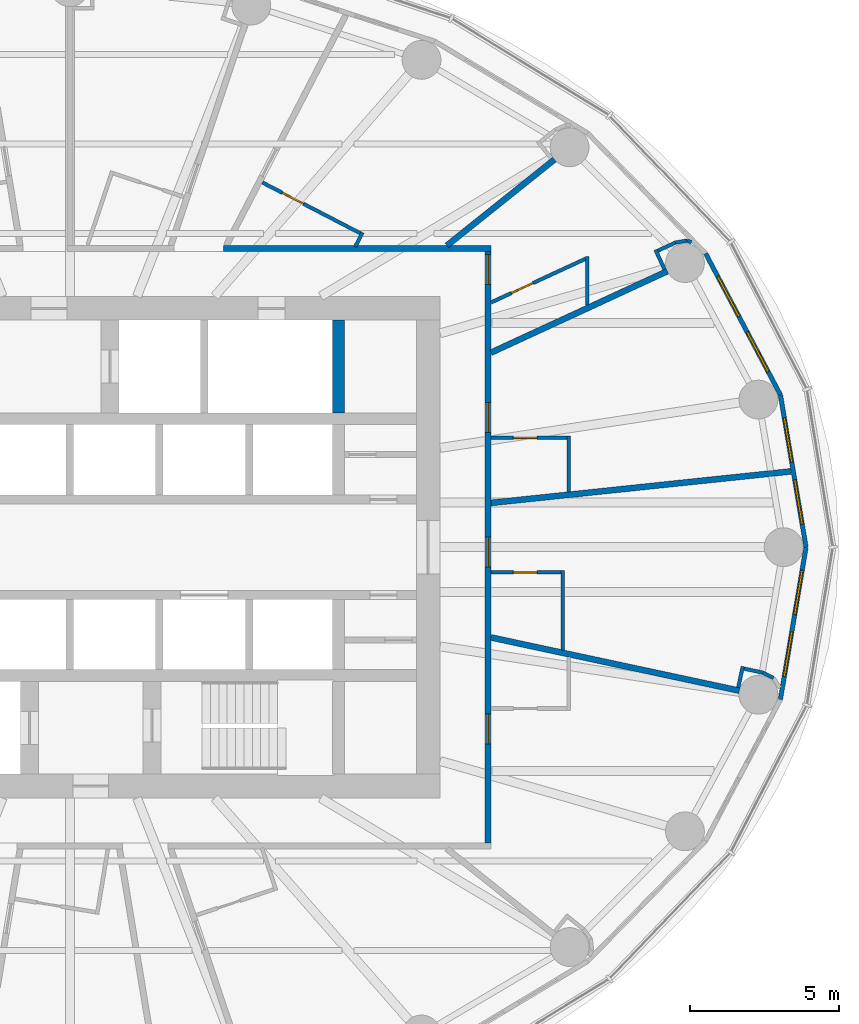
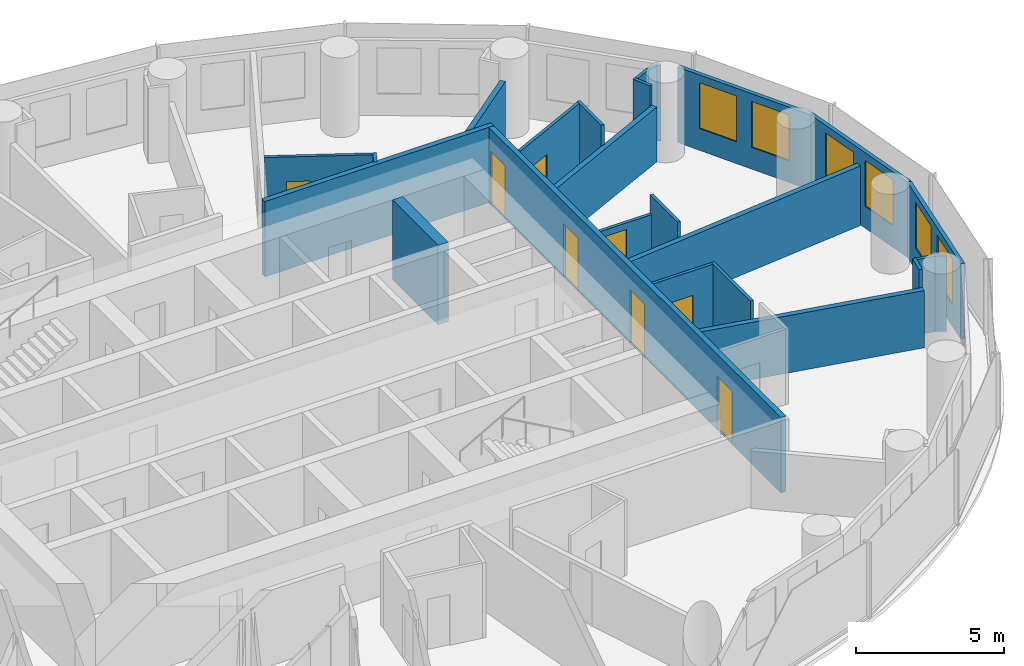
# One storey, part 10 of 14: 25 walls, 8 doors, 6 windows, 14 openings.
"""IFC4 building model written with IfcOpenShell, lengths in metres."""

from ifc_helpers import new_model, si_unit, direction, frame, frame_2d, origin, place, context, subcontext, project, spatial, rectangle, extrude, material, layer, layer_set, type_object, element, fill, save


model = new_model("IFC4")

# Units and contexts
model_context = context("Model", 3, precision=1e-05, world=origin(), true_north=direction((0.0, 1.0)))
body_context = subcontext(model_context, "Body", "Model", "MODEL_VIEW")
ifc_project = project(units=[si_unit("LENGTHUNIT", "METRE"), si_unit("AREAUNIT", "SQUARE_METRE"), si_unit("VOLUMEUNIT", "CUBIC_METRE"), si_unit("PLANEANGLEUNIT", "RADIAN"), si_unit("MASSUNIT", "GRAM", prefix="KILO")], contexts=[model_context])

# Site, building, storey
site_placement = place(None, origin())
site = spatial("IfcSite", under=ifc_project, at=site_placement, CompositionType="ELEMENT")
building_placement = place(site_placement, origin())
building = spatial("IfcBuilding", under=site, at=building_placement, Name="Hankou Lantern Tower", CompositionType="ELEMENT")
storey_placement = place(building_placement, frame((0.0, 0.0, 112.199951171875)))
storey = spatial("IfcBuildingStorey", under=building, at=storey_placement, Name="L28", CompositionType="ELEMENT", Elevation=112.199951171875)

# Wall
ifc_material_1 = material(Name="Concrete C60", Category="concrete")
ifc_layer_1 = layer(ifc_material_1, 0.39990234375)
ifc_layer_set_1 = layer_set([ifc_layer_1], Name="Concrete C60")
wall_type_1 = type_object("IfcWallType", Name="CW4 CORE CROSS WALL 400", PredefinedType="SHEAR", material=ifc_layer_set_1)
wall_1_placement = place(storey_placement, frame((9.0, 4.5, 0.0), z_axis=(0.0, 0.0, 1.0), x_axis=(0.0, 1.0, 0.0)))
element("IfcWall", 1, at=wall_1_placement, inside=storey, type_object=wall_type_1, Name="Core strip wall L28", PredefinedType="SHEAR", context=body_context, shape_type="SweptSolid", body=[
    extrude(rectangle(XDim=3.10009765625, YDim=0.39990234375, at=frame_2d((1.550048828125, 0.0))), origin(), (0.0, 0.0, 1.0), 3.300048828125),
])

# Wall, openings, windows
ifc_material_2 = material(Name="Aluminium spandrel panel on steel studs", Category="steel")
ifc_layer_2 = layer(ifc_material_2, 0.14990234375)
ifc_layer_set_2 = layer_set([ifc_layer_2], Name="Aluminium spandrel panel on steel studs")
wall_type_2 = type_object("IfcWallType", Name="EW1 INNER SKIN WALL 150", PredefinedType="ELEMENTEDWALL", material=ifc_layer_set_2)
wall_2_placement = place(storey_placement, frame((24.64990234375, 0.0, 0.0), z_axis=(0.0, 0.0, 1.0), x_axis=(-0.165883894218, 0.986145290329, 0.0)))
wall_2 = element("IfcWall", 2, at=wall_2_placement, inside=storey, type_object=wall_type_2, Name="Inner skin R01-R02 L28", PredefinedType="ELEMENTEDWALL", context=body_context, shape_type="SweptSolid", body=[
    extrude(rectangle(XDim=5.171630859375, YDim=0.14990234375, at=frame_2d((2.5859375, 0.0))), origin(), (0.0, 0.0, 1.0), 3.1201171875),
])
opening_1_placement = place(wall_2_placement, frame((0.785888671875, 0.0, 0.89990234375)))
opening_1 = element("IfcOpeningElement", 3, at=opening_1_placement, cuts=wall_2, Name="Opening W2", PredefinedType="OPENING", context=body_context, shape_type="SweptSolid", body=[
    extrude(rectangle(XDim=1.5, YDim=1.89990234375, at=frame_2d((0.75, 0.949951171875))), frame((0.0, 0.0849609375, 0.0), z_axis=(0.0, -1.0, 0.0), x_axis=(1.0, 0.0, 0.0)), (0.0, 0.0, 1.0), 0.169921875),
])
opening_2_placement = place(wall_2_placement, frame((2.8857421875, 0.0, 0.89990234375)))
opening_2 = element("IfcOpeningElement", 4, at=opening_2_placement, cuts=wall_2, Name="Opening W2", PredefinedType="OPENING", context=body_context, shape_type="SweptSolid", body=[
    extrude(rectangle(XDim=1.5, YDim=1.89990234375, at=frame_2d((0.75, 0.949951171875))), frame((0.0, 0.0849609375, 0.0), z_axis=(0.0, -1.0, 0.0), x_axis=(1.0, 0.0, 0.0)), (0.0, 0.0, 1.0), 0.169921875),
])
ifc_material_3 = material(Name="Aluminium framed double glazed window", Category="aluminium")
window_type = type_object("IfcWindowType", Name="W2 GUEST ROOM WINDOW 1500X1900", PartitioningType="DOUBLE_PANEL_VERTICAL", PredefinedType="WINDOW", material=ifc_material_3)
window_1_placement = place(opening_1_placement, origin())
window_1 = element("IfcWindow", 5, at=window_1_placement, inside=storey, type_object=window_type, Name="Window R01.1 L28", OverallHeight=1.89990234375, OverallWidth=1.5, PartitioningType="SINGLE_PANEL", PredefinedType="WINDOW", context=body_context, shape_type="SweptSolid", body=[
    extrude(rectangle(XDim=1.5, YDim=1.89990234375, at=frame_2d((0.75, 0.949951171875))), frame((0.0, 0.030029296875, 0.0), z_axis=(0.0, -1.0, 0.0), x_axis=(1.0, 0.0, 0.0)), (0.0, 0.0, 1.0), 0.06005859375),
])
fill(opening_1, window_1)
window_2_placement = place(opening_2_placement, origin())
window_2 = element("IfcWindow", 6, at=window_2_placement, inside=storey, type_object=window_type, Name="Window R01.2 L28", OverallHeight=1.89990234375, OverallWidth=1.5, PartitioningType="SINGLE_PANEL", PredefinedType="WINDOW", context=body_context, shape_type="SweptSolid", body=[
    extrude(rectangle(XDim=1.5, YDim=1.89990234375, at=frame_2d((0.75, 0.949951171875))), frame((0.0, 0.030029296875, 0.0), z_axis=(0.0, -1.0, 0.0), x_axis=(1.0, 0.0, 0.0)), (0.0, 0.0, 1.0), 0.06005859375),
])
fill(opening_2, window_2)

wall_3_placement = place(storey_placement, frame((23.7919921875, 5.10009765625, 0.0), z_axis=(0.0, 0.0, 1.0), x_axis=(-0.467814388454, 0.883826735257, 0.0)))
wall_3 = element("IfcWall", 7, at=wall_3_placement, inside=storey, type_object=wall_type_2, Name="Inner skin R02-R03 L28", PredefinedType="ELEMENTEDWALL", context=body_context, shape_type="SweptSolid", body=[
    extrude(rectangle(XDim=5.35400390625, YDim=0.14990234375, at=frame_2d((2.677001953125, 0.0))), origin(), (0.0, 0.0, 1.0), 3.1201171875),
])
opening_3_placement = place(wall_3_placement, frame((0.876953125, 0.0, 0.89990234375)))
opening_3 = element("IfcOpeningElement", 8, at=opening_3_placement, cuts=wall_3, Name="Opening W2", PredefinedType="OPENING", context=body_context, shape_type="SweptSolid", body=[
    extrude(rectangle(XDim=1.5, YDim=1.89990234375, at=frame_2d((0.75, 0.949951171875))), frame((0.0, 0.0849609375, 0.0), z_axis=(0.0, -1.0, 0.0), x_axis=(1.0, 0.0, 0.0)), (0.0, 0.0, 1.0), 0.169921875),
])
opening_4_placement = place(wall_3_placement, frame((2.97705078125, 0.0, 0.89990234375)))
opening_4 = element("IfcOpeningElement", 9, at=opening_4_placement, cuts=wall_3, Name="Opening W2", PredefinedType="OPENING", context=body_context, shape_type="SweptSolid", body=[
    extrude(rectangle(XDim=1.5, YDim=1.89990234375, at=frame_2d((0.75, 0.949951171875))), frame((0.0, 0.0849609375, 0.0), z_axis=(0.0, -1.0, 0.0), x_axis=(1.0, 0.0, 0.0)), (0.0, 0.0, 1.0), 0.169921875),
])
window_3_placement = place(opening_3_placement, origin())
window_3 = element("IfcWindow", 10, at=window_3_placement, inside=storey, type_object=window_type, Name="Window R02.1 L28", OverallHeight=1.89990234375, OverallWidth=1.5, PartitioningType="SINGLE_PANEL", PredefinedType="WINDOW", context=body_context, shape_type="SweptSolid", body=[
    extrude(rectangle(XDim=1.5, YDim=1.89990234375, at=frame_2d((0.75, 0.949951171875))), frame((0.0, 0.030029296875, 0.0), z_axis=(0.0, -1.0, 0.0), x_axis=(1.0, 0.0, 0.0)), (0.0, 0.0, 1.0), 0.06005859375),
])
fill(opening_3, window_3)
window_4_placement = place(opening_4_placement, origin())
window_4 = element("IfcWindow", 11, at=window_4_placement, inside=storey, type_object=window_type, Name="Window R02.2 L28", OverallHeight=1.89990234375, OverallWidth=1.5, PartitioningType="SINGLE_PANEL", PredefinedType="WINDOW", context=body_context, shape_type="SweptSolid", body=[
    extrude(rectangle(XDim=1.5, YDim=1.89990234375, at=frame_2d((0.75, 0.949951171875))), frame((0.0, 0.030029296875, 0.0), z_axis=(0.0, -1.0, 0.0), x_axis=(1.0, 0.0, 0.0)), (0.0, 0.0, 1.0), 0.06005859375),
])
fill(opening_4, window_4)

wall_4_placement = place(storey_placement, frame((23.7919921875, -5.10009765625, 0.0), z_axis=(0.0, 0.0, 1.0), x_axis=(0.165883894218, 0.986145290329, 0.0)))
wall_4 = element("IfcWall", 12, at=wall_4_placement, inside=storey, type_object=wall_type_2, Name="Inner skin R24-R01 L28", PredefinedType="ELEMENTEDWALL", context=body_context, shape_type="SweptSolid", body=[
    extrude(rectangle(XDim=5.171630859375, YDim=0.14990234375, at=frame_2d((2.5859375, 0.0))), origin(), (0.0, 0.0, 1.0), 3.1201171875),
])
opening_5_placement = place(wall_4_placement, frame((0.785888671875, 0.0, 0.89990234375)))
opening_5 = element("IfcOpeningElement", 13, at=opening_5_placement, cuts=wall_4, Name="Opening W2", PredefinedType="OPENING", context=body_context, shape_type="SweptSolid", body=[
    extrude(rectangle(XDim=1.5, YDim=1.89990234375, at=frame_2d((0.75, 0.949951171875))), frame((0.0, 0.0849609375, 0.0), z_axis=(0.0, -1.0, 0.0), x_axis=(1.0, 0.0, 0.0)), (0.0, 0.0, 1.0), 0.169921875),
])
opening_6_placement = place(wall_4_placement, frame((2.8857421875, 0.0, 0.89990234375)))
opening_6 = element("IfcOpeningElement", 14, at=opening_6_placement, cuts=wall_4, Name="Opening W2", PredefinedType="OPENING", context=body_context, shape_type="SweptSolid", body=[
    extrude(rectangle(XDim=1.5, YDim=1.89990234375, at=frame_2d((0.75, 0.949951171875))), frame((0.0, 0.0849609375, 0.0), z_axis=(0.0, -1.0, 0.0), x_axis=(1.0, 0.0, 0.0)), (0.0, 0.0, 1.0), 0.169921875),
])
window_5_placement = place(opening_5_placement, origin())
window_5 = element("IfcWindow", 15, at=window_5_placement, inside=storey, type_object=window_type, Name="Window R24.1 L28", OverallHeight=1.89990234375, OverallWidth=1.5, PartitioningType="SINGLE_PANEL", PredefinedType="WINDOW", context=body_context, shape_type="SweptSolid", body=[
    extrude(rectangle(XDim=1.5, YDim=1.89990234375, at=frame_2d((0.75, 0.949951171875))), frame((0.0, 0.030029296875, 0.0), z_axis=(0.0, -1.0, 0.0), x_axis=(1.0, 0.0, 0.0)), (0.0, 0.0, 1.0), 0.06005859375),
])
fill(opening_5, window_5)
window_6_placement = place(opening_6_placement, origin())
window_6 = element("IfcWindow", 16, at=window_6_placement, inside=storey, type_object=window_type, Name="Window R24.2 L28", OverallHeight=1.89990234375, OverallWidth=1.5, PartitioningType="SINGLE_PANEL", PredefinedType="WINDOW", context=body_context, shape_type="SweptSolid", body=[
    extrude(rectangle(XDim=1.5, YDim=1.89990234375, at=frame_2d((0.75, 0.949951171875))), frame((0.0, 0.030029296875, 0.0), z_axis=(0.0, -1.0, 0.0), x_axis=(1.0, 0.0, 0.0)), (0.0, 0.0, 1.0), 0.06005859375),
])
fill(opening_6, window_6)

# Walls
ifc_material_4 = material(Name="Masonry lightweight concrete block", Category="masonry")
ifc_layer_3 = layer(ifc_material_4, 0.199951171875)
ifc_layer_set_3 = layer_set([ifc_layer_3], Name="Masonry lightweight concrete block")
wall_type_3 = type_object("IfcWallType", Name="IW1 GUEST ROOM PARTY WALL 200", PredefinedType="PARTITIONING", material=ifc_layer_set_3)
wall_5_placement = place(storey_placement, frame((14.10009765625, 1.481689453125, 0.0), z_axis=(0.0, 0.0, 1.0), x_axis=(0.994523202615, 0.104516024894, 0.0)))
element("IfcWall", 17, at=wall_5_placement, inside=storey, type_object=wall_type_3, Name="Party wall R01-R02", PredefinedType="PARTITIONING", context=body_context, shape_type="SweptSolid", body=[
    extrude(rectangle(XDim=10.091064453125, YDim=0.199951171875, at=frame_2d((5.04541015625, 0.0))), origin(), (0.0, 0.0, 1.0), 2.469970703125),
])
wall_6_placement = place(storey_placement, frame((14.10009765625, 6.512451171875, 0.0), z_axis=(0.0, 0.0, 1.0), x_axis=(0.907833019998, 0.419331858797, 0.0)))
element("IfcWall", 18, at=wall_6_placement, inside=storey, type_object=wall_type_3, Name="Party wall R03", PredefinedType="PARTITIONING", context=body_context, shape_type="SweptSolid", body=[
    extrude(rectangle(XDim=6.505126953125, YDim=0.199951171875, at=frame_2d((3.25244140625, 0.0))), origin(), (0.0, 0.0, 1.0), 2.27001953125),
])
wall_7_placement = place(storey_placement, frame((12.625, 10.10009765625, 0.0), z_axis=(0.0, 0.0, 1.0), x_axis=(0.780863644897, 0.624701503182, 0.0)))
element("IfcWall", 19, at=wall_7_placement, inside=storey, type_object=wall_type_3, Name="Party wall R04", PredefinedType="PARTITIONING", context=body_context, shape_type="SweptSolid", body=[
    extrude(rectangle(XDim=4.612060546875, YDim=0.199951171875, at=frame_2d((2.30615234375, 0.0))), origin(), (0.0, 0.0, 1.0), 2.3701171875),
])
wall_8_placement = place(storey_placement, frame((14.10009765625, -3.0224609375, 0.0), z_axis=(0.0, 0.0, 1.0), x_axis=(0.977783513367, -0.209617272638, 0.0)))
element("IfcWall", 20, at=wall_8_placement, inside=storey, type_object=wall_type_3, Name="Party wall R24", PredefinedType="PARTITIONING", context=body_context, shape_type="SweptSolid", body=[
    extrude(rectangle(XDim=8.508056640625, YDim=0.199951171875, at=frame_2d((4.25390625, 0.0))), origin(), (0.0, 0.0, 1.0), 2.3701171875),
])

# Wall, openings, doors
ifc_material_5 = material(Name="Masonry lightweight concrete block", Category="masonry")
ifc_layer_4 = layer(ifc_material_5, 0.199951171875)
ifc_layer_set_4 = layer_set([ifc_layer_4], Name="Masonry lightweight concrete block")
wall_type_4 = type_object("IfcWallType", Name="IW2 CORRIDOR WALL 200", PredefinedType="PARTITIONING", material=ifc_layer_set_4)
wall_9_placement = place(storey_placement, frame((14.0, -9.89990234375, 0.0), z_axis=(0.0, 0.0, 1.0), x_axis=(0.0, 1.0, 0.0)))
wall_9 = element("IfcWall", 21, at=wall_9_placement, inside=storey, type_object=wall_type_4, Name="Corridor wall east", PredefinedType="PARTITIONING", context=body_context, shape_type="SweptSolid", body=[
    extrude(rectangle(XDim=19.7998046875, YDim=0.199951171875, at=frame_2d((9.89990234375, 0.0))), origin(), (0.0, 0.0, 1.0), 3.1201171875),
])
opening_7_placement = place(wall_9_placement, frame((3.317626953125, 0.0, 0.0)))
opening_7 = element("IfcOpeningElement", 22, at=opening_7_placement, cuts=wall_9, Name="Opening D2", PredefinedType="OPENING", context=body_context, shape_type="SweptSolid", body=[
    extrude(rectangle(XDim=1.0, YDim=2.199951171875, at=frame_2d((0.5, 1.10009765625))), frame((0.0, 0.10986328125, 0.0), z_axis=(0.0, -1.0, 0.0), x_axis=(1.0, 0.0, 0.0)), (0.0, 0.0, 1.0), 0.219970703125),
])
opening_8_placement = place(wall_9_placement, frame((9.237548828125, 0.0, 0.0)))
opening_8 = element("IfcOpeningElement", 23, at=opening_8_placement, cuts=wall_9, Name="Opening D1", PredefinedType="OPENING", context=body_context, shape_type="SweptSolid", body=[
    extrude(rectangle(XDim=1.0, YDim=2.199951171875, at=frame_2d((0.5, 1.10009765625))), frame((0.0, 0.10986328125, 0.0), z_axis=(0.0, -1.0, 0.0), x_axis=(1.0, 0.0, 0.0)), (0.0, 0.0, 1.0), 0.219970703125),
])
opening_9_placement = place(wall_9_placement, frame((13.74169921875, 0.0, 0.0)))
opening_9 = element("IfcOpeningElement", 24, at=opening_9_placement, cuts=wall_9, Name="Opening D1", PredefinedType="OPENING", context=body_context, shape_type="SweptSolid", body=[
    extrude(rectangle(XDim=1.0, YDim=2.199951171875, at=frame_2d((0.5, 1.10009765625))), frame((0.0, 0.10986328125, 0.0), z_axis=(0.0, -1.0, 0.0), x_axis=(1.0, 0.0, 0.0)), (0.0, 0.0, 1.0), 0.219970703125),
])
opening_10_placement = place(wall_9_placement, frame((18.697509765625, 0.0, 0.0)))
opening_10 = element("IfcOpeningElement", 25, at=opening_10_placement, cuts=wall_9, Name="Opening D1", PredefinedType="OPENING", context=body_context, shape_type="SweptSolid", body=[
    extrude(rectangle(XDim=1.0, YDim=2.199951171875, at=frame_2d((0.5, 1.10009765625))), frame((0.0, 0.10986328125, 0.0), z_axis=(0.0, -1.0, 0.0), x_axis=(1.0, 0.0, 0.0)), (0.0, 0.0, 1.0), 0.219970703125),
])
ifc_material_6 = material(Name="Steel door leaf", Category="steel")
door_type_1 = type_object("IfcDoorType", Name="D1 GUEST ROOM DOOR 1000X2200", OperationType="SINGLE_SWING_LEFT", PredefinedType="DOOR", material=ifc_material_6)
door_1_placement = place(opening_8_placement, origin())
door_1 = element("IfcDoor", 26, at=door_1_placement, inside=storey, type_object=door_type_1, Name="Guest room door 2817", OperationType="SINGLE_SWING_LEFT", OverallHeight=2.199951171875, OverallWidth=1.0, PredefinedType="DOOR", context=body_context, shape_type="SweptSolid", body=[
    extrude(rectangle(XDim=1.0, YDim=2.199951171875, at=frame_2d((0.5, 1.10009765625))), frame((0.0, 0.02490234375, 0.0), z_axis=(0.0, -1.0, 0.0), x_axis=(1.0, 0.0, 0.0)), (0.0, 0.0, 1.0), 0.050048828125),
])
fill(opening_8, door_1)
door_2_placement = place(opening_9_placement, origin())
door_2 = element("IfcDoor", 27, at=door_2_placement, inside=storey, type_object=door_type_1, Name="Guest room door 2818", OperationType="SINGLE_SWING_RIGHT", OverallHeight=2.199951171875, OverallWidth=1.0, PredefinedType="DOOR", context=body_context, shape_type="SweptSolid", body=[
    extrude(rectangle(XDim=1.0, YDim=2.199951171875, at=frame_2d((0.5, 1.10009765625))), frame((0.0, 0.02490234375, 0.0), z_axis=(0.0, -1.0, 0.0), x_axis=(1.0, 0.0, 0.0)), (0.0, 0.0, 1.0), 0.050048828125),
])
fill(opening_9, door_2)
door_3_placement = place(opening_10_placement, origin())
door_3 = element("IfcDoor", 28, at=door_3_placement, inside=storey, type_object=door_type_1, Name="Guest room door 2819", OperationType="SINGLE_SWING_RIGHT", OverallHeight=2.199951171875, OverallWidth=1.0, PredefinedType="DOOR", context=body_context, shape_type="SweptSolid", body=[
    extrude(rectangle(XDim=1.0, YDim=2.199951171875, at=frame_2d((0.5, 1.10009765625))), frame((0.0, 0.02490234375, 0.0), z_axis=(0.0, -1.0, 0.0), x_axis=(1.0, 0.0, 0.0)), (0.0, 0.0, 1.0), 0.050048828125),
])
fill(opening_10, door_3)
ifc_material_7 = material(Name="Steel door leaf", Category="steel")
door_type_2 = type_object("IfcDoorType", Name="D2 SUITE DOOR 1000X2200", OperationType="SINGLE_SWING_LEFT", PredefinedType="DOOR", material=ifc_material_7)
door_4_placement = place(opening_7_placement, origin())
door_4 = element("IfcDoor", 29, at=door_4_placement, inside=storey, type_object=door_type_2, Name="Suite door 2816", OperationType="SINGLE_SWING_LEFT", OverallHeight=2.199951171875, OverallWidth=1.0, PredefinedType="DOOR", context=body_context, shape_type="SweptSolid", body=[
    extrude(rectangle(XDim=1.0, YDim=2.199951171875, at=frame_2d((0.5, 1.10009765625))), frame((0.0, 0.02490234375, 0.0), z_axis=(0.0, -1.0, 0.0), x_axis=(1.0, 0.0, 0.0)), (0.0, 0.0, 1.0), 0.050048828125),
])
fill(opening_7, door_4)

# Walls
wall_10_placement = place(storey_placement, frame((5.13916015625, 10.0, 0.0), z_axis=(0.0, 0.0, 1.0), x_axis=(1.0, 0.0, 0.0)))
element("IfcWall", 30, at=wall_10_placement, inside=storey, type_object=wall_type_4, Name="Corridor wall north", PredefinedType="PARTITIONING", context=body_context, shape_type="SweptSolid", body=[
    extrude(rectangle(XDim=8.9609375, YDim=0.199951171875, at=frame_2d((4.48046875, 0.0))), origin(), (0.0, 0.0, 1.0), 3.1201171875),
])
ifc_material_8 = material(Name="Masonry lightweight concrete block", Category="masonry")
ifc_layer_5 = layer(ifc_material_8, 0.1201171875)
ifc_layer_set_5 = layer_set([ifc_layer_5], Name="Masonry lightweight concrete block")
wall_type_5 = type_object("IfcWallType", Name="IW3 BATHROOM WALL 120", PredefinedType="PARTITIONING", material=ifc_layer_set_5)
wall_11_placement = place(storey_placement, frame((16.5, -3.43701171875, 0.0), z_axis=(0.0, 0.0, 1.0), x_axis=(0.0, 1.0, 0.0)))
element("IfcWall", 31, at=wall_11_placement, inside=storey, type_object=wall_type_5, Name="Box wall 2817 1", PredefinedType="PARTITIONING", context=body_context, shape_type="SweptSolid", body=[
    extrude(rectangle(XDim=2.654541015625, YDim=0.1201171875, at=frame_2d((1.3271484375, 0.0))), origin(), (0.0, 0.0, 1.0), 3.1201171875),
])

# Wall, opening, door
wall_12_placement = place(storey_placement, frame((14.10009765625, -0.842529296875, 0.0), z_axis=(0.0, 0.0, 1.0), x_axis=(1.0, 0.0, 0.0)))
wall_12 = element("IfcWall", 32, at=wall_12_placement, inside=storey, type_object=wall_type_5, Name="Box wall 2817 1", PredefinedType="PARTITIONING", context=body_context, shape_type="SweptSolid", body=[
    extrude(rectangle(XDim=2.33984375, YDim=0.1201171875, at=frame_2d((1.169921875, 0.0))), origin(), (0.0, 0.0, 1.0), 3.1201171875),
])
opening_11_placement = place(wall_12_placement, frame((0.75, 0.0, 0.0)))
opening_11 = element("IfcOpeningElement", 33, at=opening_11_placement, cuts=wall_12, Name="Opening D3", PredefinedType="OPENING", context=body_context, shape_type="SweptSolid", body=[
    extrude(rectangle(XDim=0.800048828125, YDim=2.10009765625, at=frame_2d((0.39990234375, 1.050048828125))), frame((0.0, 0.070068359375, 0.0), z_axis=(0.0, -1.0, 0.0), x_axis=(1.0, 0.0, 0.0)), (0.0, 0.0, 1.0), 0.14013671875),
])
ifc_material_9 = material(Name="Timber door leaf", Category="wood")
door_type_3 = type_object("IfcDoorType", Name="D3 BATHROOM DOOR 800X2100", OperationType="SINGLE_SWING_LEFT", PredefinedType="DOOR", material=ifc_material_9)
door_5_placement = place(opening_11_placement, origin())
door_5 = element("IfcDoor", 34, at=door_5_placement, inside=storey, type_object=door_type_3, Name="En-suite bathroom 2817 door", OperationType="SINGLE_SWING_LEFT", OverallHeight=2.10009765625, OverallWidth=0.800048828125, PredefinedType="DOOR", context=body_context, shape_type="SweptSolid", body=[
    extrude(rectangle(XDim=0.800048828125, YDim=2.10009765625, at=frame_2d((0.39990234375, 1.050048828125))), frame((0.0, 0.02490234375, 0.0), z_axis=(0.0, -1.0, 0.0), x_axis=(1.0, 0.0, 0.0)), (0.0, 0.0, 1.0), 0.050048828125),
])
fill(opening_11, door_5)

# Wall
wall_13_placement = place(storey_placement, frame((16.699951171875, 1.85498046875, 0.0), z_axis=(0.0, 0.0, 1.0), x_axis=(0.0, 1.0, 0.0)))
element("IfcWall", 35, at=wall_13_placement, inside=storey, type_object=wall_type_5, Name="Box wall 2818 1", PredefinedType="PARTITIONING", context=body_context, shape_type="SweptSolid", body=[
    extrude(rectangle(XDim=1.86669921875, YDim=0.1201171875, at=frame_2d((0.933349609375, 0.0))), origin(), (0.0, 0.0, 1.0), 3.1201171875),
])

# Wall, opening, door
wall_14_placement = place(storey_placement, frame((14.10009765625, 3.661865234375, 0.0), z_axis=(0.0, 0.0, 1.0), x_axis=(1.0, 0.0, 0.0)))
wall_14 = element("IfcWall", 36, at=wall_14_placement, inside=storey, type_object=wall_type_5, Name="Box wall 2818 1", PredefinedType="PARTITIONING", context=body_context, shape_type="SweptSolid", body=[
    extrude(rectangle(XDim=2.539794921875, YDim=0.1201171875, at=frame_2d((1.27001953125, 0.0))), origin(), (0.0, 0.0, 1.0), 2.3701171875),
])
opening_12_placement = place(wall_14_placement, frame((0.75, 0.0, 0.0)))
opening_12 = element("IfcOpeningElement", 37, at=opening_12_placement, cuts=wall_14, Name="Opening D3", PredefinedType="OPENING", context=body_context, shape_type="SweptSolid", body=[
    extrude(rectangle(XDim=0.800048828125, YDim=2.10009765625, at=frame_2d((0.39990234375, 1.050048828125))), frame((0.0, 0.070068359375, 0.0), z_axis=(0.0, -1.0, 0.0), x_axis=(1.0, 0.0, 0.0)), (0.0, 0.0, 1.0), 0.14013671875),
])
door_6_placement = place(opening_12_placement, origin())
door_6 = element("IfcDoor", 38, at=door_6_placement, inside=storey, type_object=door_type_3, Name="En-suite bathroom 2818 door", OperationType="SINGLE_SWING_LEFT", OverallHeight=2.10009765625, OverallWidth=0.800048828125, PredefinedType="DOOR", context=body_context, shape_type="SweptSolid", body=[
    extrude(rectangle(XDim=0.800048828125, YDim=2.10009765625, at=frame_2d((0.39990234375, 1.050048828125))), frame((0.0, 0.02490234375, 0.0), z_axis=(0.0, -1.0, 0.0), x_axis=(1.0, 0.0, 0.0)), (0.0, 0.0, 1.0), 0.050048828125),
])
fill(opening_12, door_6)

# Wall
wall_15_placement = place(storey_placement, frame((17.32275390625, 8.10107421875, 0.0), z_axis=(0.0, 0.0, 1.0), x_axis=(0.0, 1.0, 0.0)))
element("IfcWall", 39, at=wall_15_placement, inside=storey, type_object=wall_type_5, Name="Box wall 2819 1", PredefinedType="PARTITIONING", context=body_context, shape_type="SweptSolid", body=[
    extrude(rectangle(XDim=1.639892578125, YDim=0.1201171875, at=frame_2d((0.81982421875, 0.0))), origin(), (0.0, 0.0, 1.0), 3.1201171875),
])

# Wall, opening, door
wall_16_placement = place(storey_placement, frame((14.10009765625, 8.192626953125, 0.0), z_axis=(0.0, 0.0, 1.0), x_axis=(0.907836493557, 0.419324338628, 0.0)))
wall_16 = element("IfcWall", 40, at=wall_16_placement, inside=storey, type_object=wall_type_5, Name="Box wall 2819 1", PredefinedType="PARTITIONING", context=body_context, shape_type="SweptSolid", body=[
    extrude(rectangle(XDim=3.48974609375, YDim=0.1201171875, at=frame_2d((1.744873046875, 0.0))), origin(), (0.0, 0.0, 1.0), 3.1201171875),
])
opening_13_placement = place(wall_16_placement, frame((0.75, 0.0, 0.0)))
opening_13 = element("IfcOpeningElement", 41, at=opening_13_placement, cuts=wall_16, Name="Opening D3", PredefinedType="OPENING", context=body_context, shape_type="SweptSolid", body=[
    extrude(rectangle(XDim=0.800048828125, YDim=2.10009765625, at=frame_2d((0.39990234375, 1.050048828125))), frame((0.0, 0.070068359375, 0.0), z_axis=(0.0, -1.0, 0.0), x_axis=(1.0, 0.0, 0.0)), (0.0, 0.0, 1.0), 0.14013671875),
])
door_7_placement = place(opening_13_placement, origin())
door_7 = element("IfcDoor", 42, at=door_7_placement, inside=storey, type_object=door_type_3, Name="En-suite bathroom 2819 door", OperationType="SINGLE_SWING_LEFT", OverallHeight=2.10009765625, OverallWidth=0.800048828125, PredefinedType="DOOR", context=body_context, shape_type="SweptSolid", body=[
    extrude(rectangle(XDim=0.800048828125, YDim=2.10009765625, at=frame_2d((0.39990234375, 1.050048828125))), frame((0.0, 0.02490234375, 0.0), z_axis=(0.0, -1.0, 0.0), x_axis=(1.0, 0.0, 0.0)), (0.0, 0.0, 1.0), 0.050048828125),
])
fill(opening_13, door_7)

# Wall
wall_17_placement = place(storey_placement, frame((9.552490234375, 10.053955078125, 0.0), z_axis=(0.0, 0.0, 1.0), x_axis=(0.460604866949, 0.887605293215, 0.0)))
element("IfcWall", 43, at=wall_17_placement, inside=storey, type_object=wall_type_5, Name="Box wall 2820 1", PredefinedType="PARTITIONING", context=body_context, shape_type="SweptSolid", body=[
    extrude(rectangle(XDim=0.544921875, YDim=0.1201171875, at=frame_2d((0.2724609375, 0.0))), origin(), (0.0, 0.0, 1.0), 3.1201171875),
])

# Wall, opening, door
wall_18_placement = place(storey_placement, frame((6.447021484375, 12.2109375, 0.0), z_axis=(0.0, 0.0, 1.0), x_axis=(0.887685422499, -0.460450421525, 0.0)))
wall_18 = element("IfcWall", 44, at=wall_18_placement, inside=storey, type_object=wall_type_5, Name="Box wall 2820 1", PredefinedType="PARTITIONING", context=body_context, shape_type="SweptSolid", body=[
    extrude(rectangle(XDim=3.689697265625, YDim=0.1201171875, at=frame_2d((1.8447265625, 0.0))), origin(), (0.0, 0.0, 1.0), 3.1201171875),
])
opening_14_placement = place(wall_18_placement, frame((0.75, 0.0, 0.0)))
opening_14 = element("IfcOpeningElement", 45, at=opening_14_placement, cuts=wall_18, Name="Opening D3", PredefinedType="OPENING", context=body_context, shape_type="SweptSolid", body=[
    extrude(rectangle(XDim=0.800048828125, YDim=2.10009765625, at=frame_2d((0.39990234375, 1.050048828125))), frame((0.0, 0.070068359375, 0.0), z_axis=(0.0, -1.0, 0.0), x_axis=(1.0, 0.0, 0.0)), (0.0, 0.0, 1.0), 0.14013671875),
])
door_8_placement = place(opening_14_placement, origin())
door_8 = element("IfcDoor", 46, at=door_8_placement, inside=storey, type_object=door_type_3, Name="En-suite bathroom 2820 door", OperationType="SINGLE_SWING_LEFT", OverallHeight=2.10009765625, OverallWidth=0.800048828125, PredefinedType="DOOR", context=body_context, shape_type="SweptSolid", body=[
    extrude(rectangle(XDim=0.800048828125, YDim=2.10009765625, at=frame_2d((0.39990234375, 1.050048828125))), frame((0.0, 0.02490234375, 0.0), z_axis=(0.0, -1.0, 0.0), x_axis=(1.0, 0.0, 0.0)), (0.0, 0.0, 1.0), 0.050048828125),
])
fill(opening_14, door_8)

# Walls
ifc_material_10 = material(Name="Masonry lightweight concrete block", Category="masonry")
ifc_layer_6 = layer(ifc_material_10, 0.1201171875)
ifc_layer_set_6 = layer_set([ifc_layer_6], Name="Masonry lightweight concrete block")
wall_type_6 = type_object("IfcWallType", Name="IW4 PARTITION 120", PredefinedType="PARTITIONING", material=ifc_layer_set_6)
wall_19_placement = place(storey_placement, frame((19.9091796875, 9.305908203125, 0.0), z_axis=(0.0, 0.0, 1.0), x_axis=(-0.419296148934, 0.90784951368, 0.0)))
element("IfcWall", 47, at=wall_19_placement, inside=storey, type_object=wall_type_6, Name="Column casing R03 return", PredefinedType="PARTITIONING", context=body_context, shape_type="SweptSolid", body=[
    extrude(rectangle(XDim=0.715576171875, YDim=0.1201171875, at=frame_2d((0.35791015625, 0.0))), origin(), (0.0, 0.0, 1.0), 3.1201171875),
])
wall_20_placement = place(storey_placement, frame((19.688720703125, 9.92626953125, 0.0), z_axis=(0.0, 0.0, 1.0), x_axis=(0.907893409272, 0.419201094227, 0.0)))
element("IfcWall", 48, at=wall_20_placement, inside=storey, type_object=wall_type_6, Name="Column casing R03", PredefinedType="PARTITIONING", context=body_context, shape_type="SweptSolid", body=[
    extrude(rectangle(XDim=0.64990234375, YDim=0.1201171875, at=frame_2d((0.324951171875, 0.0))), origin(), (0.0, 0.0, 1.0), 3.1201171875),
])
wall_21_placement = place(storey_placement, frame((20.27880859375, 10.19873046875, 0.0), z_axis=(0.0, 0.0, 1.0), x_axis=(0.985380740712, 0.170366651181, 0.0)))
element("IfcWall", 49, at=wall_21_placement, inside=storey, type_object=wall_type_6, Name="Column casing R03", PredefinedType="PARTITIONING", context=body_context, shape_type="SweptSolid", body=[
    extrude(rectangle(XDim=0.39111328125, YDim=0.1201171875, at=frame_2d((0.195556640625, 0.0))), origin(), (0.0, 0.0, 1.0), 3.1201171875),
])
wall_22_placement = place(storey_placement, frame((20.664306640625, 10.265380859375, 0.0), z_axis=(0.0, 0.0, 1.0), x_axis=(0.938058651481, -0.346476501918, 0.0)))
element("IfcWall", 50, at=wall_22_placement, inside=storey, type_object=wall_type_6, Name="Column casing R03", PredefinedType="PARTITIONING", context=body_context, shape_type="SweptSolid", body=[
    extrude(rectangle(XDim=0.161376953125, YDim=0.1201171875, at=frame_2d((0.08056640625, 0.0))), origin(), (0.0, 0.0, 1.0), 3.1201171875),
])
wall_23_placement = place(storey_placement, frame((22.381591796875, -4.6953125, 0.0), z_axis=(0.0, 0.0, 1.0), x_axis=(0.209808658628, 0.977742464438, 0.0)))
element("IfcWall", 51, at=wall_23_placement, inside=storey, type_object=wall_type_6, Name="Column casing R24 return", PredefinedType="PARTITIONING", context=body_context, shape_type="SweptSolid", body=[
    extrude(rectangle(XDim=0.715576171875, YDim=0.1201171875, at=frame_2d((0.35791015625, 0.0))), origin(), (0.0, 0.0, 1.0), 3.1201171875),
])
wall_24_placement = place(storey_placement, frame((22.57763671875, -4.06689453125, 0.0), z_axis=(0.0, 0.0, 1.0), x_axis=(0.977802414077, -0.209529088731, 0.0)))
element("IfcWall", 52, at=wall_24_placement, inside=storey, type_object=wall_type_6, Name="Column casing R24", PredefinedType="PARTITIONING", context=body_context, shape_type="SweptSolid", body=[
    extrude(rectangle(XDim=0.650146484375, YDim=0.1201171875, at=frame_2d((0.3251953125, 0.0))), origin(), (0.0, 0.0, 1.0), 3.1201171875),
])
wall_25_placement = place(storey_placement, frame((23.21337890625, -4.203125, 0.0), z_axis=(0.0, 0.0, 1.0), x_axis=(0.890142184171, -0.455682885305, 0.0)))
element("IfcWall", 53, at=wall_25_placement, inside=storey, type_object=wall_type_6, Name="Column casing R24", PredefinedType="PARTITIONING", context=body_context, shape_type="SweptSolid", body=[
    extrude(rectangle(XDim=0.39111328125, YDim=0.1201171875, at=frame_2d((0.195556640625, 0.0))), origin(), (0.0, 0.0, 1.0), 3.1201171875),
])

save(model, "model.ifc")
